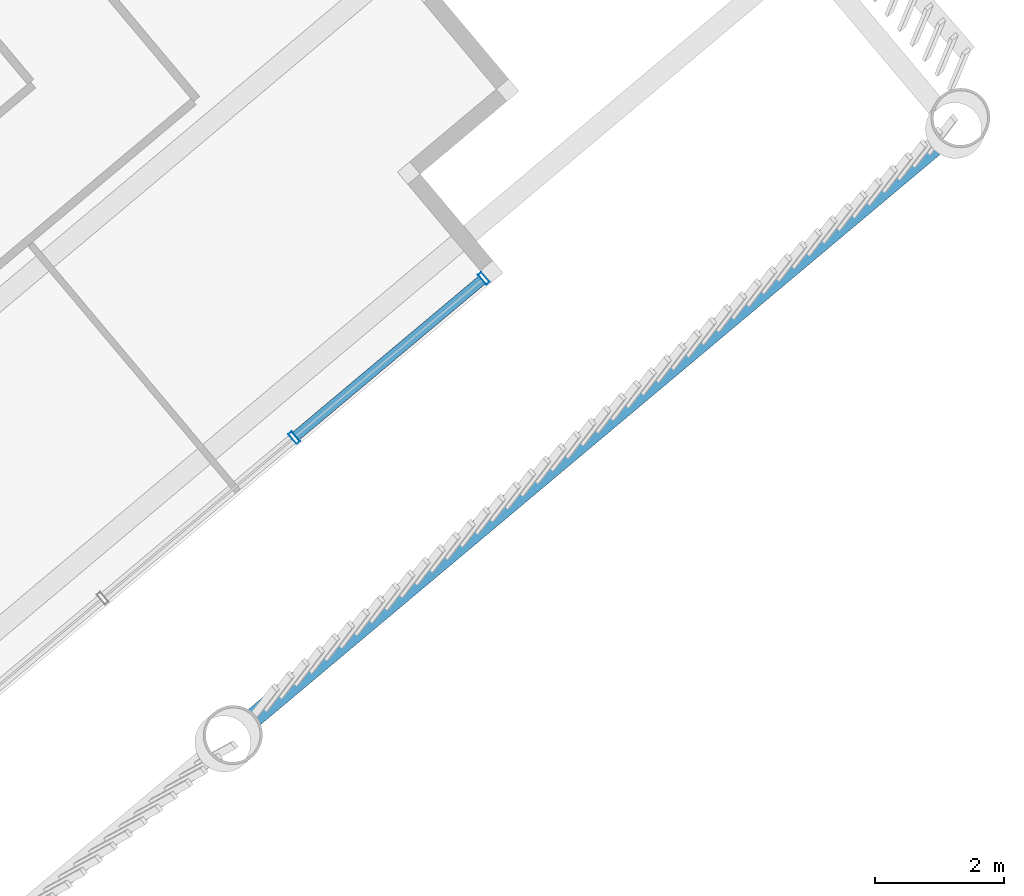
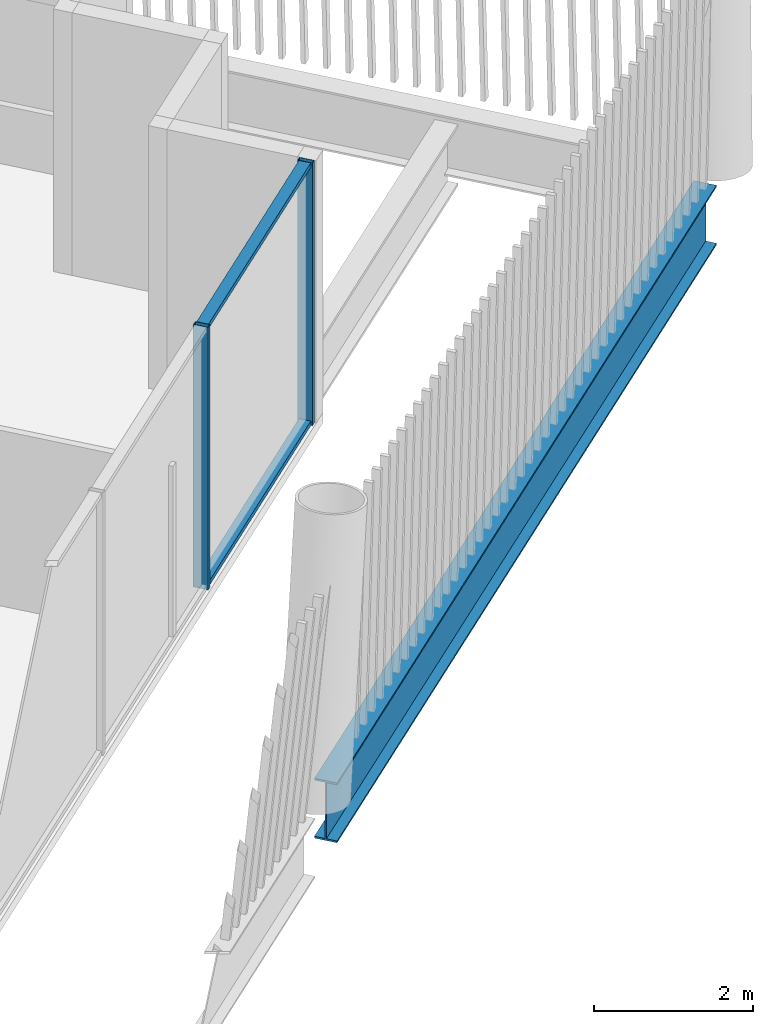
# One storey, part 18 of 31: 4 members, 1 beam, 1 element without a shape of its own.
"""IFC4 building model written with IfcOpenShell, lengths in metres."""

from ifc_helpers import new_model, si_unit, direction, frame, origin, origin_2d, place, context, subcontext, project, spatial, hollow_rectangle, i_section, extrude, material, layer, layer_set, material_profile, profile_set, type_object, element, aggregate, save


model = new_model("IFC4")

# Units and contexts
model_context = context("Model", 3, precision=1e-05, world=origin(), true_north=direction((0.0, 1.0)))
body_context = subcontext(model_context, "Body", "Model", "MODEL_VIEW")
ifc_project = project(units=[si_unit("LENGTHUNIT", "METRE"), si_unit("AREAUNIT", "SQUARE_METRE"), si_unit("VOLUMEUNIT", "CUBIC_METRE"), si_unit("PLANEANGLEUNIT", "RADIAN"), si_unit("MASSUNIT", "GRAM", prefix="KILO")], contexts=[model_context])

# Site, building, storey
site_placement = place(None, origin())
site = spatial("IfcSite", under=ifc_project, at=site_placement, CompositionType="ELEMENT")
building_placement = place(site_placement, origin())
building = spatial("IfcBuilding", under=site, at=building_placement, Name="Tarsis Ring Headquarters", CompositionType="ELEMENT")
storey_placement = place(building_placement, frame((0.0, 0.0, 390.199951171875)))
storey = spatial("IfcBuildingStorey", under=building, at=storey_placement, Name="L92", CompositionType="ELEMENT", Elevation=390.199951171875)

# Curtain wall, members
ifc_material_1 = material(Name="Aluminium curtain wall", Category="aluminium")
ifc_layer = layer(ifc_material_1, 0.199951171875)
ifc_layer_set = layer_set([ifc_layer], Name="Curtain wall executive tip")
curtain_wall_type = type_object("IfcCurtainWallType", Name="Curtain wall executive tip", PredefinedType="NOTDEFINED", material=ifc_layer_set)
curtain_wall_placement = place(storey_placement, origin())
curtain_wall = element("IfcCurtainWall", 1, at=curtain_wall_placement, inside=storey, type_object=curtain_wall_type, Name="Curtain wall L92-11", PredefinedType="NOTDEFINED")
ifc_material_2 = material(Name="Aluminium mullion", Category="aluminium")
ifc_material_profile_1 = material_profile(ifc_material_2, hollow_rectangle(XDim=0.199951171875, YDim=0.070068359375, WallThickness=0.0048828125, at=origin_2d()), Name="RHS 200x70x5")
ifc_profile_set_1 = profile_set([ifc_material_profile_1], Name="Aluminium mullion")
member_type_1 = type_object("IfcMemberType", Name="Curtain wall mullion executive tip RHS 200x70x5", PredefinedType="MULLION", material=ifc_profile_set_1)
member_1_placement = place(storey_placement, frame((23.457275390625, -21.9267578125, 0.0), z_axis=(0.0, 0.0, 1.0), x_axis=(-0.642787677018, 0.766044386621, 0.0)))
member_1 = element("IfcMember", 2, at=member_1_placement, type_object=member_type_1, Name="CW-E mullion 4", PredefinedType="MULLION", context=body_context, shape_type="SweptSolid", body=[
    extrude(hollow_rectangle(XDim=0.199951171875, YDim=0.070068359375, WallThickness=0.0048828125, at=origin_2d()), origin(), (0.0, 0.0, 1.0), 4.0400390625),
])
member_2_placement = place(storey_placement, frame((26.39892578125, -19.45849609375, 0.0), z_axis=(0.0, 0.0, 1.0), x_axis=(-0.642787677018, 0.766044386621, 0.0)))
member_2 = element("IfcMember", 3, at=member_2_placement, type_object=member_type_1, Name="CW-E mullion 5", PredefinedType="MULLION", context=body_context, shape_type="SweptSolid", body=[
    extrude(hollow_rectangle(XDim=0.199951171875, YDim=0.070068359375, WallThickness=0.0048828125, at=origin_2d()), origin(), (0.0, 0.0, 1.0), 4.0400390625),
])
ifc_material_3 = material(Name="Aluminium transom", Category="aluminium")
ifc_material_profile_2 = material_profile(ifc_material_3, hollow_rectangle(XDim=0.159912109375, YDim=0.070068359375, WallThickness=0.0048828125, at=origin_2d()), Name="RHS 160x70x5")
ifc_profile_set_2 = profile_set([ifc_material_profile_2], Name="Aluminium transom")
member_type_2 = type_object("IfcMemberType", Name="Curtain wall transom executive tip RHS 160x70x5", PredefinedType="USERDEFINED", material=ifc_profile_set_2)
member_3_placement = place(storey_placement, frame((23.484130859375, -21.904296875, 0.03515625), z_axis=(0.766035180871, 0.642798647842, 0.0), x_axis=(-0.642798647842, 0.766035180871, 0.0)))
member_3 = element("IfcMember", 4, at=member_3_placement, type_object=member_type_2, Name="CW-E transom 4.1", ObjectType="TRANSOM", PredefinedType="USERDEFINED", context=body_context, shape_type="SweptSolid", body=[
    extrude(hollow_rectangle(XDim=0.159912109375, YDim=0.070068359375, WallThickness=0.0048828125, at=origin_2d()), origin(), (0.0, 0.0, 1.0), 3.77001953125),
])
member_4_placement = place(storey_placement, frame((23.484130859375, -21.904296875, 4.005126953125), z_axis=(0.766035180871, 0.642798647842, 0.0), x_axis=(-0.642798647842, 0.766035180871, 0.0)))
member_4 = element("IfcMember", 5, at=member_4_placement, type_object=member_type_2, Name="CW-E transom 4.2", ObjectType="TRANSOM", PredefinedType="USERDEFINED", context=body_context, shape_type="SweptSolid", body=[
    extrude(hollow_rectangle(XDim=0.159912109375, YDim=0.070068359375, WallThickness=0.0048828125, at=origin_2d()), origin(), (0.0, 0.0, 1.0), 3.77001953125),
])
aggregate(curtain_wall, [member_1, member_2, member_3, member_4])

# Beam
ifc_material_4 = material(Name="Structural steel S355", Category="steel")
ifc_material_profile_3 = material_profile(ifc_material_4, i_section(OverallWidth=0.3046875, OverallDepth=0.91943359375, WebThickness=0.017333984375, FlangeThickness=0.02783203125, at=origin_2d()), Name="W36x170")
ifc_profile_set_3 = profile_set([ifc_material_profile_3], Name="Structural steel S355")
beam_type = type_object("IfcBeamType", Name="XG Ring girder W36x170", PredefinedType="BEAM", material=ifc_profile_set_3)
beam_placement = place(storey_placement, frame((22.684326171875, -26.393798828125, -0.459716796875), z_axis=(0.766049203107, 0.642781936911, 0.0), x_axis=(-0.642781936911, 0.766049203107, 0.0)))
element("IfcBeam", 6, at=beam_placement, inside=storey, type_object=beam_type, Name="Ring girder XG4", PredefinedType="BEAM", context=body_context, shape_type="SweptSolid", body=[
    extrude(i_section(OverallWidth=0.3046875, OverallDepth=0.91943359375, WebThickness=0.017333984375, FlangeThickness=0.02783203125, at=origin_2d()), origin(), (0.0, 0.0, 1.0), 13.97705078125),
])

save(model, "model.ifc")
